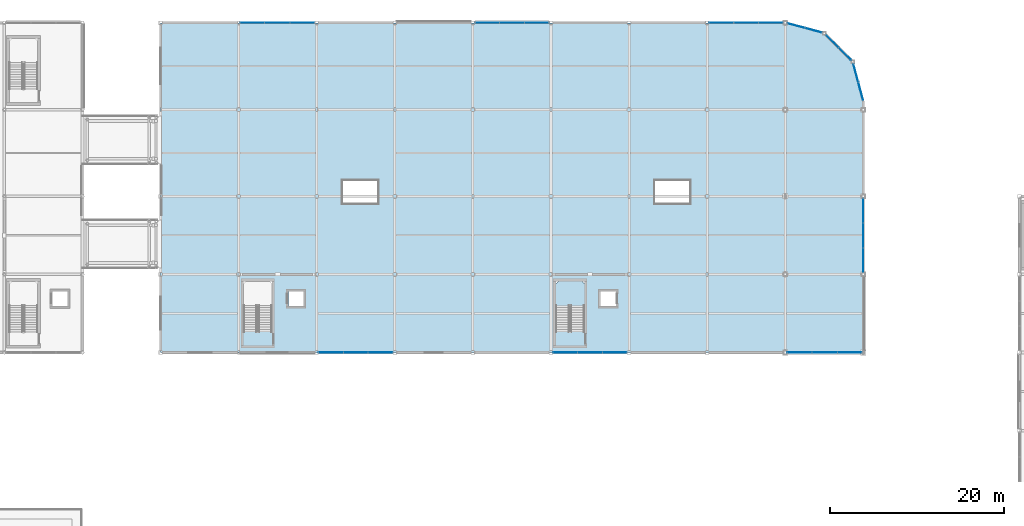
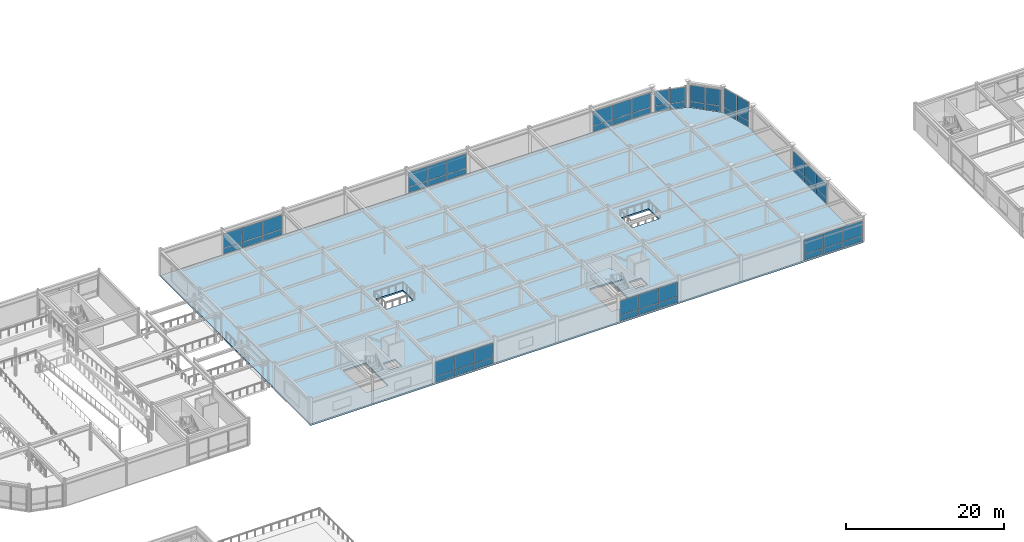
# One storey, part 41 of 70: 54 plates, 2 slabs, 11 elements without a shape of their own.
"""IFC4 building model written with IfcOpenShell, lengths in metres."""

import ifcopenshell
import ifcopenshell.guid

model = None  # the IFC model being written
_history = None  # IfcOwnerHistory: only IFC2X3 demands one
_inside = {}  # id of a spatial element -> (the spatial element, [elements in it])
_under = {}  # id of a project, library or spatial element -> (it, [spatial elements below it])
_declared = {}  # id of a project -> (the project, [libraries it declares])
_typed = {}  # id of a type object -> (the type object, [elements of that type])
_made_of = {}  # id of a material, layer set ... -> (it, [elements and type objects made of it])


def new_model(schema):
    """Start an empty IFC model of exactly this schema.

    Asked for "IFC4X3", IfcOpenShell would pick the latest addendum, in which some entities
    have other attributes; the version numbers below select the first issue.
    IFC2X3 requires an IfcOwnerHistory on every rooted entity: one is made here for all.
    """
    global model, _history
    if schema == "IFC4X3":
        model = ifcopenshell.file(schema_version=(4, 3, 0, 0))
    else:
        model = ifcopenshell.file(schema=schema)
    _inside.clear()
    _under.clear()
    _declared.clear()
    _typed.clear()
    _made_of.clear()
    _history = None
    if model.schema == "IFC2X3":
        org = make("IfcOrganization", Name="unknown")
        user = make(
            "IfcPersonAndOrganization",
            ThePerson=make("IfcPerson", FamilyName="unknown"),
            TheOrganization=org,
        )
        app = make(
            "IfcApplication",
            ApplicationDeveloper=org,
            Version="unknown",
            ApplicationFullName="unknown",
            ApplicationIdentifier="unknown",
        )
        _history = make(
            "IfcOwnerHistory",
            OwningUser=user,
            OwningApplication=app,
            ChangeAction="ADDED",
            CreationDate=0,
        )
    return model


def make(cls, **values):
    """One entity of the class cls with the attributes given. An attribute that is None is left unset."""
    return model.create_entity(
        cls, **{name: value for name, value in values.items() if value is not None}
    )


def rooted(cls, **values):
    """An entity with a GlobalId (a new one), such as an element, a storey or a relation."""
    return make(cls, GlobalId=ifcopenshell.guid.new(), OwnerHistory=_history, **values)


def si_unit(unit_type, name, prefix=None):
    """IfcSIUnit, for example si_unit("LENGTHUNIT", "METRE", prefix="MILLI")."""
    return make("IfcSIUnit", UnitType=unit_type, Prefix=prefix, Name=name)


def assignment(units):
    """IfcUnitAssignment: the units of a project."""
    return None if units is None else make("IfcUnitAssignment", Units=units)


def point(xyz):
    """IfcCartesianPoint."""
    return None if xyz is None else make("IfcCartesianPoint", Coordinates=xyz)


def direction(xyz):
    """IfcDirection."""
    return None if xyz is None else make("IfcDirection", DirectionRatios=xyz)


def frame(location, z_axis=None, x_axis=None):
    """IfcAxis2Placement3D, a coordinate frame: its origin and axes. An axis left out is left unset."""
    return make(
        "IfcAxis2Placement3D",
        Location=point(location),
        Axis=direction(z_axis),
        RefDirection=direction(x_axis),
    )


def frame_2d(location, x_axis=None):
    """IfcAxis2Placement2D, a coordinate frame in the plane: its origin and x axis."""
    return make(
        "IfcAxis2Placement2D", Location=point(location), RefDirection=direction(x_axis)
    )


def origin():
    """The frame at (0, 0, 0) with its axes left unset."""
    return frame((0.0, 0.0, 0.0))


def origin_2d():
    """The frame at (0, 0) in the plane with its x axis left unset."""
    return frame_2d((0.0, 0.0))


def place(relative_to, where):
    """IfcLocalPlacement: puts the frame where relative to a parent placement (None: the world)."""
    return make(
        "IfcLocalPlacement", PlacementRelTo=relative_to, RelativePlacement=where
    )


def context(
    kind, dimensions, precision=None, world=None, true_north=None, identifier=None
):
    """IfcGeometricRepresentationContext, for example the 3D "Model" context."""
    return make(
        "IfcGeometricRepresentationContext",
        ContextIdentifier=identifier,
        ContextType=kind,
        CoordinateSpaceDimension=dimensions,
        Precision=precision,
        WorldCoordinateSystem=world,
        TrueNorth=true_north,
    )


def subcontext(parent, identifier, kind, view, scale=None):
    """IfcGeometricRepresentationSubContext, for example "Body" below "Model"."""
    return make(
        "IfcGeometricRepresentationSubContext",
        ContextIdentifier=identifier,
        ContextType=kind,
        ParentContext=parent,
        TargetScale=scale,
        TargetView=view,
    )


def project(units=None, contexts=None):
    """IfcProject with its units and contexts."""
    return rooted(
        "IfcProject",
        Name="project",
        RepresentationContexts=contexts,
        UnitsInContext=assignment(units),
    )


def spatial(cls, under=None, at=None, **own):
    """A site, building, storey or space (cls), placed at a placement, below another one or the project."""
    s = rooted(cls, ObjectPlacement=at, **own)
    if under is not None:
        _under.setdefault(under.id(), (under, []))[1].append(s)
    return s


def polyline(points):
    """IfcPolyline through the points."""
    return make("IfcPolyline", Points=[point(p) for p in points])


def profile(cls, at=None, kind="AREA", **sizes):
    """A parametric profile (cls). Its sizes go by their IFC names, for example OverallWidth=200.0."""
    return make(cls, ProfileType=kind, Position=at, **sizes)


def rectangle(**sizes):
    """IfcRectangleProfileDef."""
    return profile("IfcRectangleProfileDef", **sizes)


def outline(outer, holes=None, kind="AREA"):
    """IfcArbitraryClosedProfileDef: a profile drawn as a closed curve; with holes, ...WithVoids."""
    if holes is None:
        return make("IfcArbitraryClosedProfileDef", ProfileType=kind, OuterCurve=outer)
    return make(
        "IfcArbitraryProfileDefWithVoids",
        ProfileType=kind,
        OuterCurve=outer,
        InnerCurves=holes,
    )


def extrude(swept, where, along, depth):
    """IfcExtrudedAreaSolid: the profile swept, set in the frame where, extruded along a direction by depth."""
    return make(
        "IfcExtrudedAreaSolid",
        SweptArea=swept,
        Position=where,
        ExtrudedDirection=direction(along),
        Depth=depth,
    )


def shape(context_of_items, identifier, shape_type, items):
    """IfcShapeRepresentation: the items that make up one representation, for example the "Body"."""
    return make(
        "IfcShapeRepresentation",
        ContextOfItems=context_of_items,
        RepresentationIdentifier=identifier,
        RepresentationType=shape_type,
        Items=items,
    )


def material(Name=None, Category=None):
    """IfcMaterial."""
    return make("IfcMaterial", Name=Name, Category=Category)


def layer(
    of_material, thickness, ventilated=None, Name=None, Category=None, Priority=None
):
    """IfcMaterialLayer: one layer of a wall or slab, of a material (None: an air gap)."""
    return make(
        "IfcMaterialLayer",
        Material=of_material,
        LayerThickness=thickness,
        IsVentilated=ventilated,
        Name=Name,
        Category=Category,
        Priority=Priority,
    )


def layer_set(layers, Name=None):
    """IfcMaterialLayerSet."""
    return make("IfcMaterialLayerSet", MaterialLayers=layers, LayerSetName=Name)


def made_of(thing, what):
    """Note that an element or type object is made of a material, layer set ...; save() writes the relation."""
    if what is not None:
        _made_of.setdefault(what.id(), (what, []))[1].append(thing)
    return thing


def type_object(cls, material=None, **own):
    """A type object (cls), such as IfcWallType, which elements share."""
    return made_of(rooted(cls, **own), material)


def element(
    cls,
    number,
    at=None,
    inside=None,
    cuts=None,
    type_object=None,
    material=None,
    context=None,
    identifier="Body",
    shape_type=None,
    held_by="IfcProductDefinitionShape",
    body=None,
    shapes=None,
    **own,
):
    """One element of the class cls, such as IfcWall. Its Tag is "e" and its number.

    at: its placement. inside: the storey or other place that contains it. cuts: it is an
    opening in that element (IfcRelVoidsElement). A single representation is given by context,
    identifier, shape_type and body (its items); several are given by shapes. held_by: the class
    of the entity that holds the representations. save() writes the other relations.
    """
    e = rooted(cls, Tag="e%d" % number, ObjectPlacement=at, **own)
    if body is not None:
        shapes = [shape(context, identifier, shape_type, body)]
    if shapes is not None:
        e.Representation = make(held_by, Representations=shapes)
    if inside is not None:
        _inside.setdefault(inside.id(), (inside, []))[1].append(e)
    if cuts is not None:
        rooted(
            "IfcRelVoidsElement", RelatingBuildingElement=cuts, RelatedOpeningElement=e
        )
    if type_object is not None:
        _typed.setdefault(type_object.id(), (type_object, []))[1].append(e)
    return made_of(e, material)


def aggregate(whole, parts):
    """IfcRelAggregates: a whole, such as a stair, and the parts it consists of."""
    return rooted("IfcRelAggregates", RelatingObject=whole, RelatedObjects=parts)


def save(model, path):
    """Write the relations noted so far, then the file.

    IfcRelAggregates (storeys below a building ...), IfcRelContainedInSpatialStructure (elements
    in a storey), IfcRelDefinesByType, IfcRelAssociatesMaterial and IfcRelDeclares: one each for
    every whole, place, type object, material and project.
    """
    for whole, parts in _under.values():
        aggregate(whole, parts)
    for where, things in _inside.values():
        rooted(
            "IfcRelContainedInSpatialStructure",
            RelatedElements=things,
            RelatingStructure=where,
        )
    for kind, things in _typed.values():
        rooted("IfcRelDefinesByType", RelatedObjects=things, RelatingType=kind)
    for what, things in _made_of.values():
        rooted("IfcRelAssociatesMaterial", RelatedObjects=things, RelatingMaterial=what)
    for by, libraries in _declared.values():
        rooted("IfcRelDeclares", RelatingContext=by, RelatedDefinitions=libraries)
    model.write(path)


model = new_model("IFC4")

# Units and contexts
model_context = context("Model", 3, precision=1e-05, world=origin(), true_north=direction((0.0, 1.0)))
body_context = subcontext(model_context, "Body", "Model", "MODEL_VIEW")
ifc_project = project(units=[si_unit("LENGTHUNIT", "METRE"), si_unit("AREAUNIT", "SQUARE_METRE"), si_unit("VOLUMEUNIT", "CUBIC_METRE"), si_unit("PLANEANGLEUNIT", "RADIAN"), si_unit("MASSUNIT", "GRAM", prefix="KILO")], contexts=[model_context])

# Site, building, storey
site_placement = place(None, origin())
site = spatial("IfcSite", under=ifc_project, at=site_placement, CompositionType="ELEMENT")
building_placement = place(site_placement, origin())
building = spatial("IfcBuilding", under=site, at=building_placement, Name="Suzunagisa Mobility Hub", CompositionType="ELEMENT")
storey_placement = place(building_placement, frame((0.0, 0.0, 13.5)))
storey = spatial("IfcBuildingStorey", under=building, at=storey_placement, Name="L03", CompositionType="ELEMENT", Elevation=13.5)

# Slab
ifc_material_1 = material(Name="Concrete C35/45", Category="concrete")
ifc_layer_1 = layer(ifc_material_1, 0.25)
ifc_layer_set_1 = layer_set([ifc_layer_1], Name="Concrete C35/45")
slab_type_1 = type_object("IfcSlabType", Name="Composite Slab SL-13 250mm", PredefinedType="FLOOR", material=ifc_layer_set_1)
slab_1_placement = place(storey_placement, frame((0.0, 0.0, -0.25)))
element("IfcSlab", 1, at=slab_1_placement, inside=storey, type_object=slab_type_1, Name="L03 V4 Floor Slab", PredefinedType="FLOOR", context=body_context, shape_type="SweptSolid", body=[
    extrude(outline(polyline([(45.0, 80.0), (126.0, 80.0), (126.0, 109.0), (124.794189453125, 113.5), (121.5, 116.794189453125), (117.0, 118.0), (45.0, 118.0), (45.0, 80.0)]), holes=[polyline([(66.0, 97.199951171875), (70.0, 97.199951171875), (70.0, 99.800048828125), (66.0, 99.800048828125), (66.0, 97.199951171875)]), polyline([(102.0, 97.199951171875), (106.0, 97.199951171875), (106.0, 99.800048828125), (102.0, 99.800048828125), (102.0, 97.199951171875)]), polyline([(54.56005859375, 82.47998046875), (57.840087890625, 82.47998046875), (57.840087890625, 88.199951171875), (54.56005859375, 88.199951171875), (54.56005859375, 82.47998046875)]), polyline([(59.719970703125, 85.3701171875), (61.47998046875, 85.3701171875), (61.47998046875, 87.030029296875), (59.719970703125, 87.030029296875), (59.719970703125, 85.3701171875)]), polyline([(90.56005859375, 82.47998046875), (93.840087890625, 82.47998046875), (93.840087890625, 88.199951171875), (90.56005859375, 88.199951171875), (90.56005859375, 82.47998046875)]), polyline([(95.719970703125, 85.3701171875), (97.47998046875, 85.3701171875), (97.47998046875, 87.030029296875), (95.719970703125, 87.030029296875), (95.719970703125, 85.3701171875)])]), origin(), (0.0, 0.0, 1.0), 0.25),
])

# Stair, slab
stair_type = type_object("IfcStairType", Name="Dog-Leg Core Escape Stair ST-08 W1560", PredefinedType="HALF_TURN_STAIR", material=ifc_material_1)
stair_placement = place(storey_placement, origin())
stair = element("IfcStair", 2, at=stair_placement, inside=storey, type_object=stair_type, Name="L03 Core C4 Escape Stair ST-08", PredefinedType="HALF_TURN_STAIR")
ifc_layer_2 = layer(ifc_material_1, 0.199951171875)
ifc_layer_set_2 = layer_set([ifc_layer_2], Name="Concrete C35/45")
slab_type_2 = type_object("IfcSlabType", Name="Core Stair Half-Landing Slab SL-SLND", PredefinedType="LANDING", material=ifc_layer_set_2)
slab_2_placement = place(storey_placement, frame((0.0, 0.0, 1.89990234375)))
slab_2 = element("IfcSlab", 3, at=slab_2_placement, type_object=slab_type_2, Name="ST-08 landing 1", PredefinedType="LANDING", context=body_context, shape_type="SweptSolid", body=[
    extrude(outline(polyline([(90.4599609375, 85.360107421875), (93.93994140625, 85.360107421875), (93.93994140625, 87.820068359375), (93.4599609375, 88.300048828125), (90.93994140625, 88.300048828125), (90.4599609375, 87.820068359375), (90.4599609375, 85.360107421875)])), origin(), (0.0, 0.0, 1.0), 0.2001953125),
])
aggregate(stair, [slab_2])

# Curtain wall, plates
ifc_material_2 = material(Name="Thermally Broken Anodized Aluminum and Low-E Glazing", Category="aluminium")
curtain_wall_type_1 = type_object("IfcCurtainWallType", Name="Unitised Curtain Wall CW-18 8500x3200", PredefinedType="USERDEFINED", material=ifc_material_2)
curtain_wall_1_placement = place(storey_placement, origin())
curtain_wall_1 = element("IfcCurtainWall", 4, at=curtain_wall_1_placement, inside=storey, type_object=curtain_wall_type_1, Name="L03 Unitised Curtain Wall CW-121", ObjectType="UNITISED CURTAIN WALL", PredefinedType="USERDEFINED")
ifc_material_3 = material(Name="Low-E Solar-Control Double Glazing", Category="glass")
ifc_layer_3 = layer(ifc_material_3, 0.028076171875)
ifc_layer_set_3 = layer_set([ifc_layer_3], Name="Low-E Solar-Control Double Glazing")
plate_type = type_object("IfcPlateType", Name="Low-E Double Glazed Curtain Panel GP-01 28mm", PredefinedType="CURTAIN_PANEL", material=ifc_layer_set_3)
plate_1_placement = place(storey_placement, frame((64.6484375, 80.0, 0.06298828125), z_axis=(0.0, 0.0, 1.0), x_axis=(1.0, 0.0, 0.0)))
plate_1 = element("IfcPlate", 5, at=plate_1_placement, type_object=plate_type, Name="Curtain Wall Glazing Panel 121-P1.1", PredefinedType="CURTAIN_PANEL", context=body_context, shape_type="SweptSolid", body=[
    extrude(rectangle(XDim=2.78076171875, YDim=0.028076171875, at=origin_2d()), origin(), (0.0, 0.0, 1.0), 0.8564453125),
])
plate_2_placement = place(storey_placement, frame((64.6484375, 80.0, 0.98046875), z_axis=(0.0, 0.0, 1.0), x_axis=(1.0, 0.0, 0.0)))
plate_2 = element("IfcPlate", 6, at=plate_2_placement, type_object=plate_type, Name="Curtain Wall Glazing Panel 121-P1.2", PredefinedType="CURTAIN_PANEL", context=body_context, shape_type="SweptSolid", body=[
    extrude(rectangle(XDim=2.78076171875, YDim=0.028076171875, at=origin_2d()), origin(), (0.0, 0.0, 1.0), 2.20654296875),
])
plate_3_placement = place(storey_placement, frame((67.5, 80.0, 0.06298828125), z_axis=(0.0, 0.0, 1.0), x_axis=(1.0, 0.0, 0.0)))
plate_3 = element("IfcPlate", 7, at=plate_3_placement, type_object=plate_type, Name="Curtain Wall Glazing Panel 121-P2.1", PredefinedType="CURTAIN_PANEL", context=body_context, shape_type="SweptSolid", body=[
    extrude(rectangle(XDim=2.810546875, YDim=0.028076171875, at=origin_2d()), origin(), (0.0, 0.0, 1.0), 0.8564453125),
])
plate_4_placement = place(storey_placement, frame((67.5, 80.0, 0.98046875), z_axis=(0.0, 0.0, 1.0), x_axis=(1.0, 0.0, 0.0)))
plate_4 = element("IfcPlate", 8, at=plate_4_placement, type_object=plate_type, Name="Curtain Wall Glazing Panel 121-P2.2", PredefinedType="CURTAIN_PANEL", context=body_context, shape_type="SweptSolid", body=[
    extrude(rectangle(XDim=2.810546875, YDim=0.028076171875, at=origin_2d()), origin(), (0.0, 0.0, 1.0), 2.20654296875),
])
plate_5_placement = place(storey_placement, frame((70.351806640625, 80.0, 0.06298828125), z_axis=(0.0, 0.0, 1.0), x_axis=(1.0, 0.0, 0.0)))
plate_5 = element("IfcPlate", 9, at=plate_5_placement, type_object=plate_type, Name="Curtain Wall Glazing Panel 121-P3.1", PredefinedType="CURTAIN_PANEL", context=body_context, shape_type="SweptSolid", body=[
    extrude(rectangle(XDim=2.78076171875, YDim=0.028076171875, at=origin_2d()), origin(), (0.0, 0.0, 1.0), 0.8564453125),
])
plate_6_placement = place(storey_placement, frame((70.351806640625, 80.0, 0.98046875), z_axis=(0.0, 0.0, 1.0), x_axis=(1.0, 0.0, 0.0)))
plate_6 = element("IfcPlate", 10, at=plate_6_placement, type_object=plate_type, Name="Curtain Wall Glazing Panel 121-P3.2", PredefinedType="CURTAIN_PANEL", context=body_context, shape_type="SweptSolid", body=[
    extrude(rectangle(XDim=2.78076171875, YDim=0.028076171875, at=origin_2d()), origin(), (0.0, 0.0, 1.0), 2.20654296875),
])
aggregate(curtain_wall_1, [plate_1, plate_2, plate_3, plate_4, plate_5, plate_6])

curtain_wall_2_placement = place(storey_placement, origin())
curtain_wall_2 = element("IfcCurtainWall", 11, at=curtain_wall_2_placement, inside=storey, type_object=curtain_wall_type_1, Name="L03 Unitised Curtain Wall CW-122", ObjectType="UNITISED CURTAIN WALL", PredefinedType="USERDEFINED")
plate_7_placement = place(storey_placement, frame((91.6484375, 80.0, 0.06298828125), z_axis=(0.0, 0.0, 1.0), x_axis=(1.0, 0.0, 0.0)))
plate_7 = element("IfcPlate", 12, at=plate_7_placement, type_object=plate_type, Name="Curtain Wall Glazing Panel 122-P1.1", PredefinedType="CURTAIN_PANEL", context=body_context, shape_type="SweptSolid", body=[
    extrude(rectangle(XDim=2.78076171875, YDim=0.028076171875, at=origin_2d()), origin(), (0.0, 0.0, 1.0), 0.8564453125),
])
plate_8_placement = place(storey_placement, frame((91.6484375, 80.0, 0.98046875), z_axis=(0.0, 0.0, 1.0), x_axis=(1.0, 0.0, 0.0)))
plate_8 = element("IfcPlate", 13, at=plate_8_placement, type_object=plate_type, Name="Curtain Wall Glazing Panel 122-P1.2", PredefinedType="CURTAIN_PANEL", context=body_context, shape_type="SweptSolid", body=[
    extrude(rectangle(XDim=2.78076171875, YDim=0.028076171875, at=origin_2d()), origin(), (0.0, 0.0, 1.0), 2.20654296875),
])
plate_9_placement = place(storey_placement, frame((94.5, 80.0, 0.06298828125), z_axis=(0.0, 0.0, 1.0), x_axis=(1.0, 0.0, 0.0)))
plate_9 = element("IfcPlate", 14, at=plate_9_placement, type_object=plate_type, Name="Curtain Wall Glazing Panel 122-P2.1", PredefinedType="CURTAIN_PANEL", context=body_context, shape_type="SweptSolid", body=[
    extrude(rectangle(XDim=2.810546875, YDim=0.028076171875, at=origin_2d()), origin(), (0.0, 0.0, 1.0), 0.8564453125),
])
plate_10_placement = place(storey_placement, frame((94.5, 80.0, 0.98046875), z_axis=(0.0, 0.0, 1.0), x_axis=(1.0, 0.0, 0.0)))
plate_10 = element("IfcPlate", 15, at=plate_10_placement, type_object=plate_type, Name="Curtain Wall Glazing Panel 122-P2.2", PredefinedType="CURTAIN_PANEL", context=body_context, shape_type="SweptSolid", body=[
    extrude(rectangle(XDim=2.810546875, YDim=0.028076171875, at=origin_2d()), origin(), (0.0, 0.0, 1.0), 2.20654296875),
])
plate_11_placement = place(storey_placement, frame((97.351806640625, 80.0, 0.06298828125), z_axis=(0.0, 0.0, 1.0), x_axis=(1.0, 0.0, 0.0)))
plate_11 = element("IfcPlate", 16, at=plate_11_placement, type_object=plate_type, Name="Curtain Wall Glazing Panel 122-P3.1", PredefinedType="CURTAIN_PANEL", context=body_context, shape_type="SweptSolid", body=[
    extrude(rectangle(XDim=2.78076171875, YDim=0.028076171875, at=origin_2d()), origin(), (0.0, 0.0, 1.0), 0.8564453125),
])
plate_12_placement = place(storey_placement, frame((97.351806640625, 80.0, 0.98046875), z_axis=(0.0, 0.0, 1.0), x_axis=(1.0, 0.0, 0.0)))
plate_12 = element("IfcPlate", 17, at=plate_12_placement, type_object=plate_type, Name="Curtain Wall Glazing Panel 122-P3.2", PredefinedType="CURTAIN_PANEL", context=body_context, shape_type="SweptSolid", body=[
    extrude(rectangle(XDim=2.78076171875, YDim=0.028076171875, at=origin_2d()), origin(), (0.0, 0.0, 1.0), 2.20654296875),
])
aggregate(curtain_wall_2, [plate_7, plate_8, plate_9, plate_10, plate_11, plate_12])

curtain_wall_type_2 = type_object("IfcCurtainWallType", Name="Unitised Curtain Wall CW-13 8750x3200", PredefinedType="USERDEFINED", material=ifc_material_2)
curtain_wall_3_placement = place(storey_placement, origin())
curtain_wall_3 = element("IfcCurtainWall", 18, at=curtain_wall_3_placement, inside=storey, type_object=curtain_wall_type_2, Name="L03 Unitised Curtain Wall CW-123", ObjectType="UNITISED CURTAIN WALL", PredefinedType="USERDEFINED")
plate_13_placement = place(storey_placement, frame((118.6650390625, 80.0, 0.06298828125), z_axis=(0.0, 0.0, 1.0), x_axis=(1.0, 0.0, 0.0)))
plate_13 = element("IfcPlate", 19, at=plate_13_placement, type_object=plate_type, Name="Curtain Wall Glazing Panel 123-P1.1", PredefinedType="CURTAIN_PANEL", context=body_context, shape_type="SweptSolid", body=[
    extrude(rectangle(XDim=2.81396484375, YDim=0.028076171875, at=origin_2d()), origin(), (0.0, 0.0, 1.0), 0.8564453125),
])
plate_14_placement = place(storey_placement, frame((118.6650390625, 80.0, 0.98046875), z_axis=(0.0, 0.0, 1.0), x_axis=(1.0, 0.0, 0.0)))
plate_14 = element("IfcPlate", 20, at=plate_14_placement, type_object=plate_type, Name="Curtain Wall Glazing Panel 123-P1.2", PredefinedType="CURTAIN_PANEL", context=body_context, shape_type="SweptSolid", body=[
    extrude(rectangle(XDim=2.81396484375, YDim=0.028076171875, at=origin_2d()), origin(), (0.0, 0.0, 1.0), 2.196533203125),
])
plate_15_placement = place(storey_placement, frame((121.550048828125, 80.0, 0.06298828125), z_axis=(0.0, 0.0, 1.0), x_axis=(1.0, 0.0, 0.0)))
plate_15 = element("IfcPlate", 21, at=plate_15_placement, type_object=plate_type, Name="Curtain Wall Glazing Panel 123-P2.1", PredefinedType="CURTAIN_PANEL", context=body_context, shape_type="SweptSolid", body=[
    extrude(rectangle(XDim=2.843994140625, YDim=0.028076171875, at=origin_2d()), origin(), (0.0, 0.0, 1.0), 0.8564453125),
])
plate_16_placement = place(storey_placement, frame((121.550048828125, 80.0, 0.98046875), z_axis=(0.0, 0.0, 1.0), x_axis=(1.0, 0.0, 0.0)))
plate_16 = element("IfcPlate", 22, at=plate_16_placement, type_object=plate_type, Name="Curtain Wall Glazing Panel 123-P2.2", PredefinedType="CURTAIN_PANEL", context=body_context, shape_type="SweptSolid", body=[
    extrude(rectangle(XDim=2.843994140625, YDim=0.028076171875, at=origin_2d()), origin(), (0.0, 0.0, 1.0), 2.196533203125),
])
plate_17_placement = place(storey_placement, frame((124.43505859375, 80.0, 0.06298828125), z_axis=(0.0, 0.0, 1.0), x_axis=(1.0, 0.0, 0.0)))
plate_17 = element("IfcPlate", 23, at=plate_17_placement, type_object=plate_type, Name="Curtain Wall Glazing Panel 123-P3.1", PredefinedType="CURTAIN_PANEL", context=body_context, shape_type="SweptSolid", body=[
    extrude(rectangle(XDim=2.81396484375, YDim=0.028076171875, at=origin_2d()), origin(), (0.0, 0.0, 1.0), 0.8564453125),
])
plate_18_placement = place(storey_placement, frame((124.43505859375, 80.0, 0.98046875), z_axis=(0.0, 0.0, 1.0), x_axis=(1.0, 0.0, 0.0)))
plate_18 = element("IfcPlate", 24, at=plate_18_placement, type_object=plate_type, Name="Curtain Wall Glazing Panel 123-P3.2", PredefinedType="CURTAIN_PANEL", context=body_context, shape_type="SweptSolid", body=[
    extrude(rectangle(XDim=2.81396484375, YDim=0.028076171875, at=origin_2d()), origin(), (0.0, 0.0, 1.0), 2.196533203125),
])
aggregate(curtain_wall_3, [plate_13, plate_14, plate_15, plate_16, plate_17, plate_18])

curtain_wall_4_placement = place(storey_placement, origin())
curtain_wall_4 = element("IfcCurtainWall", 25, at=curtain_wall_4_placement, inside=storey, type_object=curtain_wall_type_1, Name="L03 Unitised Curtain Wall CW-124", ObjectType="UNITISED CURTAIN WALL", PredefinedType="USERDEFINED")
plate_19_placement = place(storey_placement, frame((126.0, 90.6484375, 0.06298828125), z_axis=(0.0, 0.0, 1.0), x_axis=(0.0, 1.0, 0.0)))
plate_19 = element("IfcPlate", 26, at=plate_19_placement, type_object=plate_type, Name="Curtain Wall Glazing Panel 124-P1.1", PredefinedType="CURTAIN_PANEL", context=body_context, shape_type="SweptSolid", body=[
    extrude(rectangle(XDim=2.78076171875, YDim=0.028076171875, at=origin_2d()), origin(), (0.0, 0.0, 1.0), 0.8564453125),
])
plate_20_placement = place(storey_placement, frame((126.0, 90.6484375, 0.98046875), z_axis=(0.0, 0.0, 1.0), x_axis=(0.0, 1.0, 0.0)))
plate_20 = element("IfcPlate", 27, at=plate_20_placement, type_object=plate_type, Name="Curtain Wall Glazing Panel 124-P1.2", PredefinedType="CURTAIN_PANEL", context=body_context, shape_type="SweptSolid", body=[
    extrude(rectangle(XDim=2.78076171875, YDim=0.028076171875, at=origin_2d()), origin(), (0.0, 0.0, 1.0), 2.196533203125),
])
plate_21_placement = place(storey_placement, frame((126.0, 93.5, 0.06298828125), z_axis=(0.0, 0.0, 1.0), x_axis=(0.0, 1.0, 0.0)))
plate_21 = element("IfcPlate", 28, at=plate_21_placement, type_object=plate_type, Name="Curtain Wall Glazing Panel 124-P2.1", PredefinedType="CURTAIN_PANEL", context=body_context, shape_type="SweptSolid", body=[
    extrude(rectangle(XDim=2.810546875, YDim=0.028076171875, at=origin_2d()), origin(), (0.0, 0.0, 1.0), 0.8564453125),
])
plate_22_placement = place(storey_placement, frame((126.0, 93.5, 0.98046875), z_axis=(0.0, 0.0, 1.0), x_axis=(0.0, 1.0, 0.0)))
plate_22 = element("IfcPlate", 29, at=plate_22_placement, type_object=plate_type, Name="Curtain Wall Glazing Panel 124-P2.2", PredefinedType="CURTAIN_PANEL", context=body_context, shape_type="SweptSolid", body=[
    extrude(rectangle(XDim=2.810546875, YDim=0.028076171875, at=origin_2d()), origin(), (0.0, 0.0, 1.0), 2.196533203125),
])
plate_23_placement = place(storey_placement, frame((126.0, 96.351806640625, 0.06298828125), z_axis=(0.0, 0.0, 1.0), x_axis=(0.0, 1.0, 0.0)))
plate_23 = element("IfcPlate", 30, at=plate_23_placement, type_object=plate_type, Name="Curtain Wall Glazing Panel 124-P3.1", PredefinedType="CURTAIN_PANEL", context=body_context, shape_type="SweptSolid", body=[
    extrude(rectangle(XDim=2.78076171875, YDim=0.028076171875, at=origin_2d()), origin(), (0.0, 0.0, 1.0), 0.8564453125),
])
plate_24_placement = place(storey_placement, frame((126.0, 96.351806640625, 0.98046875), z_axis=(0.0, 0.0, 1.0), x_axis=(0.0, 1.0, 0.0)))
plate_24 = element("IfcPlate", 31, at=plate_24_placement, type_object=plate_type, Name="Curtain Wall Glazing Panel 124-P3.2", PredefinedType="CURTAIN_PANEL", context=body_context, shape_type="SweptSolid", body=[
    extrude(rectangle(XDim=2.78076171875, YDim=0.028076171875, at=origin_2d()), origin(), (0.0, 0.0, 1.0), 2.196533203125),
])
aggregate(curtain_wall_4, [plate_19, plate_20, plate_21, plate_22, plate_23, plate_24])

curtain_wall_type_3 = type_object("IfcCurtainWallType", Name="Unitised Curtain Wall CW-48 4500x3900", PredefinedType="USERDEFINED", material=ifc_material_2)
curtain_wall_5_placement = place(storey_placement, origin())
curtain_wall_5 = element("IfcCurtainWall", 32, at=curtain_wall_5_placement, inside=storey, type_object=curtain_wall_type_3, Name="L03 Unitised Curtain Wall CW-125", ObjectType="UNITISED CURTAIN WALL", PredefinedType="USERDEFINED")
plate_25_placement = place(storey_placement, frame((125.708740234375, 110.0869140625, 0.05810546875), z_axis=(0.0, 0.0, 1.0), x_axis=(-0.258814496501, 0.965927045072, 0.0)))
plate_25 = element("IfcPlate", 33, at=plate_25_placement, type_object=plate_type, Name="Curtain Wall Glazing Panel 125-P1.1", PredefinedType="CURTAIN_PANEL", context=body_context, shape_type="SweptSolid", body=[
    extrude(rectangle(XDim=2.134521484375, YDim=0.028076171875, at=origin_2d()), origin(), (0.0, 0.0, 1.0), 0.864013671875),
])
plate_26_placement = place(storey_placement, frame((125.708740234375, 110.0869140625, 0.97802734375), z_axis=(0.0, 0.0, 1.0), x_axis=(-0.258814496501, 0.965927045072, 0.0)))
plate_26 = element("IfcPlate", 34, at=plate_26_placement, type_object=plate_type, Name="Curtain Wall Glazing Panel 125-P1.2", PredefinedType="CURTAIN_PANEL", context=body_context, shape_type="SweptSolid", body=[
    extrude(rectangle(XDim=2.134521484375, YDim=0.028076171875, at=origin_2d()), origin(), (0.0, 0.0, 1.0), 2.904052734375),
])
plate_27_placement = place(storey_placement, frame((125.141845703125, 112.202880859375, 0.05810546875), z_axis=(0.0, 0.0, 1.0), x_axis=(-0.258814496501, 0.965927045072, 0.0)))
plate_27 = element("IfcPlate", 35, at=plate_27_placement, type_object=plate_type, Name="Curtain Wall Glazing Panel 125-P2.1", PredefinedType="CURTAIN_PANEL", context=body_context, shape_type="SweptSolid", body=[
    extrude(rectangle(XDim=2.134521484375, YDim=0.028076171875, at=origin_2d()), origin(), (0.0, 0.0, 1.0), 0.864013671875),
])
plate_28_placement = place(storey_placement, frame((125.141845703125, 112.202880859375, 0.97802734375), z_axis=(0.0, 0.0, 1.0), x_axis=(-0.258814496501, 0.965927045072, 0.0)))
plate_28 = element("IfcPlate", 36, at=plate_28_placement, type_object=plate_type, Name="Curtain Wall Glazing Panel 125-P2.2", PredefinedType="CURTAIN_PANEL", context=body_context, shape_type="SweptSolid", body=[
    extrude(rectangle(XDim=2.134521484375, YDim=0.028076171875, at=origin_2d()), origin(), (0.0, 0.0, 1.0), 2.904052734375),
])
aggregate(curtain_wall_5, [plate_25, plate_26, plate_27, plate_28])

curtain_wall_type_4 = type_object("IfcCurtainWallType", Name="Unitised Curtain Wall CW-24 4250x3500", PredefinedType="USERDEFINED", material=ifc_material_2)
curtain_wall_6_placement = place(storey_placement, origin())
curtain_wall_6 = element("IfcCurtainWall", 37, at=curtain_wall_6_placement, inside=storey, type_object=curtain_wall_type_4, Name="L03 Unitised Curtain Wall CW-126", ObjectType="UNITISED CURTAIN WALL", PredefinedType="USERDEFINED")
plate_29_placement = place(storey_placement, frame((123.87109375, 114.423095703125, 0.05810546875), z_axis=(0.0, 0.0, 1.0), x_axis=(-0.707106781187, 0.707106781187, 0.0)))
plate_29 = element("IfcPlate", 38, at=plate_29_placement, type_object=plate_type, Name="Curtain Wall Glazing Panel 126-P1.1", PredefinedType="CURTAIN_PANEL", context=body_context, shape_type="SweptSolid", body=[
    extrude(rectangle(XDim=1.991943359375, YDim=0.028076171875, at=origin_2d()), origin(), (0.0, 0.0, 1.0), 0.864013671875),
])
plate_30_placement = place(storey_placement, frame((123.87109375, 114.423095703125, 0.97802734375), z_axis=(0.0, 0.0, 1.0), x_axis=(-0.707106781187, 0.707106781187, 0.0)))
plate_30 = element("IfcPlate", 39, at=plate_30_placement, type_object=plate_type, Name="Curtain Wall Glazing Panel 126-P1.2", PredefinedType="CURTAIN_PANEL", context=body_context, shape_type="SweptSolid", body=[
    extrude(rectangle(XDim=1.991943359375, YDim=0.028076171875, at=origin_2d()), origin(), (0.0, 0.0, 1.0), 2.50390625),
])
plate_31_placement = place(storey_placement, frame((122.423095703125, 115.87109375, 0.05810546875), z_axis=(0.0, 0.0, 1.0), x_axis=(-0.707106781187, 0.707106781187, 0.0)))
plate_31 = element("IfcPlate", 40, at=plate_31_placement, type_object=plate_type, Name="Curtain Wall Glazing Panel 126-P2.1", PredefinedType="CURTAIN_PANEL", context=body_context, shape_type="SweptSolid", body=[
    extrude(rectangle(XDim=1.991943359375, YDim=0.028076171875, at=origin_2d()), origin(), (0.0, 0.0, 1.0), 0.864013671875),
])
plate_32_placement = place(storey_placement, frame((122.423095703125, 115.87109375, 0.97802734375), z_axis=(0.0, 0.0, 1.0), x_axis=(-0.707106781187, 0.707106781187, 0.0)))
plate_32 = element("IfcPlate", 41, at=plate_32_placement, type_object=plate_type, Name="Curtain Wall Glazing Panel 126-P2.2", PredefinedType="CURTAIN_PANEL", context=body_context, shape_type="SweptSolid", body=[
    extrude(rectangle(XDim=1.991943359375, YDim=0.028076171875, at=origin_2d()), origin(), (0.0, 0.0, 1.0), 2.50390625),
])
aggregate(curtain_wall_6, [plate_29, plate_30, plate_31, plate_32])

curtain_wall_type_5 = type_object("IfcCurtainWallType", Name="Unitised Curtain Wall CW-01 4250x3200", PredefinedType="USERDEFINED", material=ifc_material_2)
curtain_wall_7_placement = place(storey_placement, origin())
curtain_wall_7 = element("IfcCurtainWall", 42, at=curtain_wall_7_placement, inside=storey, type_object=curtain_wall_type_5, Name="L03 Unitised Curtain Wall CW-127", ObjectType="UNITISED CURTAIN WALL", PredefinedType="USERDEFINED")
plate_33_placement = place(storey_placement, frame((120.261962890625, 117.1259765625, 0.05810546875), z_axis=(0.0, 0.0, 1.0), x_axis=(-0.965927308128, 0.25881351474, 0.0)))
plate_33 = element("IfcPlate", 43, at=plate_33_placement, type_object=plate_type, Name="Curtain Wall Glazing Panel 127-P1.1", PredefinedType="CURTAIN_PANEL", context=body_context, shape_type="SweptSolid", body=[
    extrude(rectangle(XDim=2.011962890625, YDim=0.028076171875, at=origin_2d()), origin(), (0.0, 0.0, 1.0), 0.864013671875),
])
plate_34_placement = place(storey_placement, frame((120.261962890625, 117.1259765625, 0.97802734375), z_axis=(0.0, 0.0, 1.0), x_axis=(-0.965927308128, 0.25881351474, 0.0)))
plate_34 = element("IfcPlate", 44, at=plate_34_placement, type_object=plate_type, Name="Curtain Wall Glazing Panel 127-P1.2", PredefinedType="CURTAIN_PANEL", context=body_context, shape_type="SweptSolid", body=[
    extrude(rectangle(XDim=2.011962890625, YDim=0.028076171875, at=origin_2d()), origin(), (0.0, 0.0, 1.0), 2.2041015625),
])
plate_35_placement = place(storey_placement, frame((118.264404296875, 117.661376953125, 0.05810546875), z_axis=(0.0, 0.0, 1.0), x_axis=(-0.965927308128, 0.25881351474, 0.0)))
plate_35 = element("IfcPlate", 45, at=plate_35_placement, type_object=plate_type, Name="Curtain Wall Glazing Panel 127-P2.1", PredefinedType="CURTAIN_PANEL", context=body_context, shape_type="SweptSolid", body=[
    extrude(rectangle(XDim=2.01220703125, YDim=0.028076171875, at=origin_2d()), origin(), (0.0, 0.0, 1.0), 0.864013671875),
])
plate_36_placement = place(storey_placement, frame((118.264404296875, 117.661376953125, 0.97802734375), z_axis=(0.0, 0.0, 1.0), x_axis=(-0.965927308128, 0.25881351474, 0.0)))
plate_36 = element("IfcPlate", 46, at=plate_36_placement, type_object=plate_type, Name="Curtain Wall Glazing Panel 127-P2.2", PredefinedType="CURTAIN_PANEL", context=body_context, shape_type="SweptSolid", body=[
    extrude(rectangle(XDim=2.01220703125, YDim=0.028076171875, at=origin_2d()), origin(), (0.0, 0.0, 1.0), 2.2041015625),
])
aggregate(curtain_wall_7, [plate_33, plate_34, plate_35, plate_36])

curtain_wall_8_placement = place(storey_placement, origin())
curtain_wall_8 = element("IfcCurtainWall", 47, at=curtain_wall_8_placement, inside=storey, type_object=curtain_wall_type_1, Name="L03 Unitised Curtain Wall CW-128", ObjectType="UNITISED CURTAIN WALL", PredefinedType="USERDEFINED")
plate_37_placement = place(storey_placement, frame((115.3515625, 118.0, 0.06298828125), z_axis=(0.0, 0.0, 1.0), x_axis=(-1.0, 0.0, 0.0)))
plate_37 = element("IfcPlate", 48, at=plate_37_placement, type_object=plate_type, Name="Curtain Wall Glazing Panel 128-P1.1", PredefinedType="CURTAIN_PANEL", context=body_context, shape_type="SweptSolid", body=[
    extrude(rectangle(XDim=2.78076171875, YDim=0.028076171875, at=origin_2d()), origin(), (0.0, 0.0, 1.0), 0.8564453125),
])
plate_38_placement = place(storey_placement, frame((115.3515625, 118.0, 0.98046875), z_axis=(0.0, 0.0, 1.0), x_axis=(-1.0, 0.0, 0.0)))
plate_38 = element("IfcPlate", 49, at=plate_38_placement, type_object=plate_type, Name="Curtain Wall Glazing Panel 128-P1.2", PredefinedType="CURTAIN_PANEL", context=body_context, shape_type="SweptSolid", body=[
    extrude(rectangle(XDim=2.78076171875, YDim=0.028076171875, at=origin_2d()), origin(), (0.0, 0.0, 1.0), 2.196533203125),
])
plate_39_placement = place(storey_placement, frame((112.5, 118.0, 0.06298828125), z_axis=(0.0, 0.0, 1.0), x_axis=(-1.0, 0.0, 0.0)))
plate_39 = element("IfcPlate", 50, at=plate_39_placement, type_object=plate_type, Name="Curtain Wall Glazing Panel 128-P2.1", PredefinedType="CURTAIN_PANEL", context=body_context, shape_type="SweptSolid", body=[
    extrude(rectangle(XDim=2.810546875, YDim=0.028076171875, at=origin_2d()), origin(), (0.0, 0.0, 1.0), 0.8564453125),
])
plate_40_placement = place(storey_placement, frame((112.5, 118.0, 0.98046875), z_axis=(0.0, 0.0, 1.0), x_axis=(-1.0, 0.0, 0.0)))
plate_40 = element("IfcPlate", 51, at=plate_40_placement, type_object=plate_type, Name="Curtain Wall Glazing Panel 128-P2.2", PredefinedType="CURTAIN_PANEL", context=body_context, shape_type="SweptSolid", body=[
    extrude(rectangle(XDim=2.810546875, YDim=0.028076171875, at=origin_2d()), origin(), (0.0, 0.0, 1.0), 2.196533203125),
])
plate_41_placement = place(storey_placement, frame((109.648193359375, 118.0, 0.06298828125), z_axis=(0.0, 0.0, 1.0), x_axis=(-1.0, 0.0, 0.0)))
plate_41 = element("IfcPlate", 52, at=plate_41_placement, type_object=plate_type, Name="Curtain Wall Glazing Panel 128-P3.1", PredefinedType="CURTAIN_PANEL", context=body_context, shape_type="SweptSolid", body=[
    extrude(rectangle(XDim=2.78076171875, YDim=0.028076171875, at=origin_2d()), origin(), (0.0, 0.0, 1.0), 0.8564453125),
])
plate_42_placement = place(storey_placement, frame((109.648193359375, 118.0, 0.98046875), z_axis=(0.0, 0.0, 1.0), x_axis=(-1.0, 0.0, 0.0)))
plate_42 = element("IfcPlate", 53, at=plate_42_placement, type_object=plate_type, Name="Curtain Wall Glazing Panel 128-P3.2", PredefinedType="CURTAIN_PANEL", context=body_context, shape_type="SweptSolid", body=[
    extrude(rectangle(XDim=2.78076171875, YDim=0.028076171875, at=origin_2d()), origin(), (0.0, 0.0, 1.0), 2.196533203125),
])
aggregate(curtain_wall_8, [plate_37, plate_38, plate_39, plate_40, plate_41, plate_42])

curtain_wall_9_placement = place(storey_placement, origin())
curtain_wall_9 = element("IfcCurtainWall", 54, at=curtain_wall_9_placement, inside=storey, type_object=curtain_wall_type_1, Name="L03 Unitised Curtain Wall CW-129", ObjectType="UNITISED CURTAIN WALL", PredefinedType="USERDEFINED")
plate_43_placement = place(storey_placement, frame((88.3515625, 118.0, 0.06298828125), z_axis=(0.0, 0.0, 1.0), x_axis=(-1.0, 0.0, 0.0)))
plate_43 = element("IfcPlate", 55, at=plate_43_placement, type_object=plate_type, Name="Curtain Wall Glazing Panel 129-P1.1", PredefinedType="CURTAIN_PANEL", context=body_context, shape_type="SweptSolid", body=[
    extrude(rectangle(XDim=2.78076171875, YDim=0.028076171875, at=origin_2d()), origin(), (0.0, 0.0, 1.0), 0.8564453125),
])
plate_44_placement = place(storey_placement, frame((88.3515625, 118.0, 0.98046875), z_axis=(0.0, 0.0, 1.0), x_axis=(-1.0, 0.0, 0.0)))
plate_44 = element("IfcPlate", 56, at=plate_44_placement, type_object=plate_type, Name="Curtain Wall Glazing Panel 129-P1.2", PredefinedType="CURTAIN_PANEL", context=body_context, shape_type="SweptSolid", body=[
    extrude(rectangle(XDim=2.78076171875, YDim=0.028076171875, at=origin_2d()), origin(), (0.0, 0.0, 1.0), 2.20654296875),
])
plate_45_placement = place(storey_placement, frame((85.5, 118.0, 0.06298828125), z_axis=(0.0, 0.0, 1.0), x_axis=(-1.0, 0.0, 0.0)))
plate_45 = element("IfcPlate", 57, at=plate_45_placement, type_object=plate_type, Name="Curtain Wall Glazing Panel 129-P2.1", PredefinedType="CURTAIN_PANEL", context=body_context, shape_type="SweptSolid", body=[
    extrude(rectangle(XDim=2.810546875, YDim=0.028076171875, at=origin_2d()), origin(), (0.0, 0.0, 1.0), 0.8564453125),
])
plate_46_placement = place(storey_placement, frame((85.5, 118.0, 0.98046875), z_axis=(0.0, 0.0, 1.0), x_axis=(-1.0, 0.0, 0.0)))
plate_46 = element("IfcPlate", 58, at=plate_46_placement, type_object=plate_type, Name="Curtain Wall Glazing Panel 129-P2.2", PredefinedType="CURTAIN_PANEL", context=body_context, shape_type="SweptSolid", body=[
    extrude(rectangle(XDim=2.810546875, YDim=0.028076171875, at=origin_2d()), origin(), (0.0, 0.0, 1.0), 2.20654296875),
])
plate_47_placement = place(storey_placement, frame((82.648193359375, 118.0, 0.06298828125), z_axis=(0.0, 0.0, 1.0), x_axis=(-1.0, 0.0, 0.0)))
plate_47 = element("IfcPlate", 59, at=plate_47_placement, type_object=plate_type, Name="Curtain Wall Glazing Panel 129-P3.1", PredefinedType="CURTAIN_PANEL", context=body_context, shape_type="SweptSolid", body=[
    extrude(rectangle(XDim=2.78076171875, YDim=0.028076171875, at=origin_2d()), origin(), (0.0, 0.0, 1.0), 0.8564453125),
])
plate_48_placement = place(storey_placement, frame((82.648193359375, 118.0, 0.98046875), z_axis=(0.0, 0.0, 1.0), x_axis=(-1.0, 0.0, 0.0)))
plate_48 = element("IfcPlate", 60, at=plate_48_placement, type_object=plate_type, Name="Curtain Wall Glazing Panel 129-P3.2", PredefinedType="CURTAIN_PANEL", context=body_context, shape_type="SweptSolid", body=[
    extrude(rectangle(XDim=2.78076171875, YDim=0.028076171875, at=origin_2d()), origin(), (0.0, 0.0, 1.0), 2.20654296875),
])
aggregate(curtain_wall_9, [plate_43, plate_44, plate_45, plate_46, plate_47, plate_48])

curtain_wall_10_placement = place(storey_placement, origin())
curtain_wall_10 = element("IfcCurtainWall", 61, at=curtain_wall_10_placement, inside=storey, type_object=curtain_wall_type_2, Name="L03 Unitised Curtain Wall CW-130", ObjectType="UNITISED CURTAIN WALL", PredefinedType="USERDEFINED")
plate_49_placement = place(storey_placement, frame((61.3349609375, 118.0, 0.06298828125), z_axis=(0.0, 0.0, 1.0), x_axis=(-1.0, 0.0, 0.0)))
plate_49 = element("IfcPlate", 62, at=plate_49_placement, type_object=plate_type, Name="Curtain Wall Glazing Panel 130-P1.1", PredefinedType="CURTAIN_PANEL", context=body_context, shape_type="SweptSolid", body=[
    extrude(rectangle(XDim=2.81396484375, YDim=0.028076171875, at=origin_2d()), origin(), (0.0, 0.0, 1.0), 0.8564453125),
])
plate_50_placement = place(storey_placement, frame((61.3349609375, 118.0, 0.98046875), z_axis=(0.0, 0.0, 1.0), x_axis=(-1.0, 0.0, 0.0)))
plate_50 = element("IfcPlate", 63, at=plate_50_placement, type_object=plate_type, Name="Curtain Wall Glazing Panel 130-P1.2", PredefinedType="CURTAIN_PANEL", context=body_context, shape_type="SweptSolid", body=[
    extrude(rectangle(XDim=2.81396484375, YDim=0.028076171875, at=origin_2d()), origin(), (0.0, 0.0, 1.0), 2.20654296875),
])
plate_51_placement = place(storey_placement, frame((58.449951171875, 118.0, 0.06298828125), z_axis=(0.0, 0.0, 1.0), x_axis=(-1.0, 0.0, 0.0)))
plate_51 = element("IfcPlate", 64, at=plate_51_placement, type_object=plate_type, Name="Curtain Wall Glazing Panel 130-P2.1", PredefinedType="CURTAIN_PANEL", context=body_context, shape_type="SweptSolid", body=[
    extrude(rectangle(XDim=2.843994140625, YDim=0.028076171875, at=origin_2d()), origin(), (0.0, 0.0, 1.0), 0.8564453125),
])
plate_52_placement = place(storey_placement, frame((58.449951171875, 118.0, 0.98046875), z_axis=(0.0, 0.0, 1.0), x_axis=(-1.0, 0.0, 0.0)))
plate_52 = element("IfcPlate", 65, at=plate_52_placement, type_object=plate_type, Name="Curtain Wall Glazing Panel 130-P2.2", PredefinedType="CURTAIN_PANEL", context=body_context, shape_type="SweptSolid", body=[
    extrude(rectangle(XDim=2.843994140625, YDim=0.028076171875, at=origin_2d()), origin(), (0.0, 0.0, 1.0), 2.20654296875),
])
plate_53_placement = place(storey_placement, frame((55.56494140625, 118.0, 0.06298828125), z_axis=(0.0, 0.0, 1.0), x_axis=(-1.0, 0.0, 0.0)))
plate_53 = element("IfcPlate", 66, at=plate_53_placement, type_object=plate_type, Name="Curtain Wall Glazing Panel 130-P3.1", PredefinedType="CURTAIN_PANEL", context=body_context, shape_type="SweptSolid", body=[
    extrude(rectangle(XDim=2.81396484375, YDim=0.028076171875, at=origin_2d()), origin(), (0.0, 0.0, 1.0), 0.8564453125),
])
plate_54_placement = place(storey_placement, frame((55.56494140625, 118.0, 0.98046875), z_axis=(0.0, 0.0, 1.0), x_axis=(-1.0, 0.0, 0.0)))
plate_54 = element("IfcPlate", 67, at=plate_54_placement, type_object=plate_type, Name="Curtain Wall Glazing Panel 130-P3.2", PredefinedType="CURTAIN_PANEL", context=body_context, shape_type="SweptSolid", body=[
    extrude(rectangle(XDim=2.81396484375, YDim=0.028076171875, at=origin_2d()), origin(), (0.0, 0.0, 1.0), 2.20654296875),
])
aggregate(curtain_wall_10, [plate_49, plate_50, plate_51, plate_52, plate_53, plate_54])

save(model, "model.ifc")
